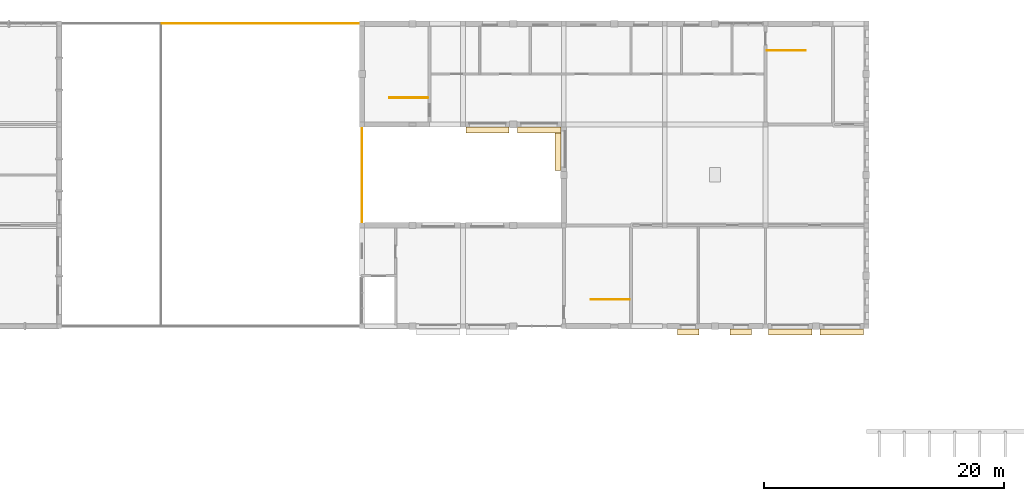
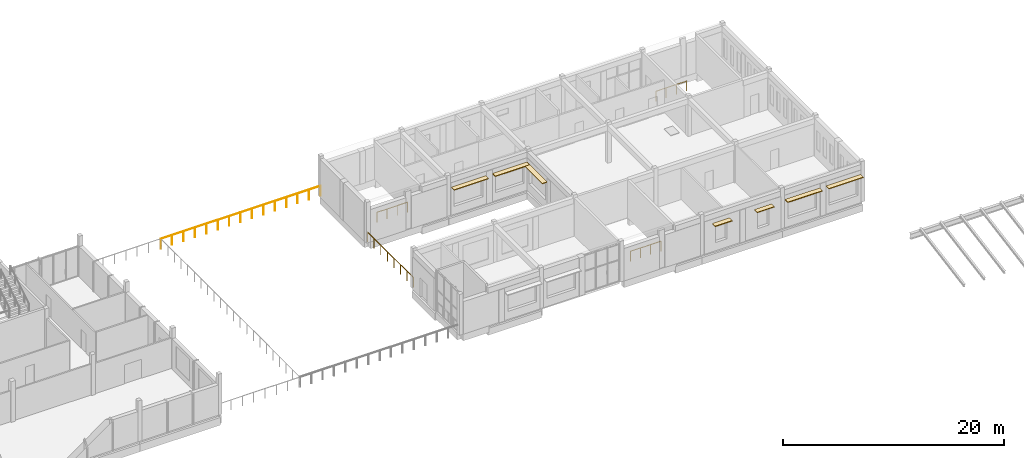
# One storey, part 30 of 30: 7 coverings, 5 railings.
"""IFC4 building model written with IfcOpenShell, lengths in metres."""

from ifc_helpers import new_model, si_unit, direction, frame, origin, origin_2d, place, context, subcontext, project, spatial, rectangle, circle, extrude, material, layer, layer_set, type_object, element, save


model = new_model("IFC4")

# Units and contexts
model_context = context("Model", 3, precision=1e-05, world=origin(), true_north=direction((0.0, 1.0)))
body_context = subcontext(model_context, "Body", "Model", "MODEL_VIEW")
ifc_project = project(units=[si_unit("LENGTHUNIT", "METRE"), si_unit("AREAUNIT", "SQUARE_METRE"), si_unit("VOLUMEUNIT", "CUBIC_METRE"), si_unit("PLANEANGLEUNIT", "RADIAN"), si_unit("MASSUNIT", "GRAM", prefix="KILO")], contexts=[model_context])

# Site, building, storey
site_placement = place(None, origin())
site = spatial("IfcSite", under=ifc_project, at=site_placement, CompositionType="ELEMENT")
building_placement = place(site_placement, origin())
building = spatial("IfcBuilding", under=site, at=building_placement, Name="Fescue Hill Polytechnic", CompositionType="ELEMENT")
storey_placement = place(building_placement, frame((0.0, 0.0, 22.5)))
storey = spatial("IfcBuildingStorey", under=building, at=storey_placement, Name="L05", CompositionType="ELEMENT", Elevation=22.5)

# Railings
ifc_material_1 = material(Name="Steel 350W (350 MPa)", Category="steel")
railing_type_1 = type_object("IfcRailingType", Name="Guard steel posts and rail 1100", PredefinedType="GUARDRAIL", material=ifc_material_1)
railing_1_placement = place(storey_placement, frame((75.60009765625, 125.949951171875, 0.0)))
element("IfcRailing", 1, at=railing_1_placement, inside=storey, type_object=railing_type_1, Name="GU-L05-V4b-1", PredefinedType="GUARDRAIL", context=body_context, shape_type="SweptSolid", body=[
    extrude(circle(Radius=0.02392578125, at=origin_2d()), frame((0.0, 0.0, 1.076171875), z_axis=(0.0, -1.0, 0.0), x_axis=(1.0, 0.0, 0.0)), (0.0, 0.0, 1.0), 8.300048828125),
    extrude(circle(Radius=0.02099609375, at=origin_2d()), origin(), (0.0, 0.0, 1.0), 1.052001953125),
    extrude(circle(Radius=0.02099609375, at=origin_2d()), frame((0.0, -1.185791015625, 0.0)), (0.0, 0.0, 1.0), 1.052001953125),
    extrude(circle(Radius=0.02099609375, at=origin_2d()), frame((0.0, -2.371337890625, 0.0)), (0.0, 0.0, 1.0), 1.052001953125),
    extrude(circle(Radius=0.02099609375, at=origin_2d()), frame((0.0, -3.55712890625, 0.0)), (0.0, 0.0, 1.0), 1.052001953125),
    extrude(circle(Radius=0.02099609375, at=origin_2d()), frame((0.0, -4.742919921875, 0.0)), (0.0, 0.0, 1.0), 1.052001953125),
    extrude(circle(Radius=0.02099609375, at=origin_2d()), frame((0.0, -5.9287109375, 0.0)), (0.0, 0.0, 1.0), 1.052001953125),
    extrude(circle(Radius=0.02099609375, at=origin_2d()), frame((0.0, -7.1142578125, 0.0)), (0.0, 0.0, 1.0), 1.052001953125),
    extrude(circle(Radius=0.02099609375, at=origin_2d()), frame((0.0, -8.300048828125, 0.0)), (0.0, 0.0, 1.0), 1.052001953125),
])
railing_2_placement = place(storey_placement, frame((58.85009765625, 134.39990234375, 0.0)))
element("IfcRailing", 2, at=railing_2_placement, inside=storey, type_object=railing_type_1, Name="GU-L05-V4b-3", PredefinedType="GUARDRAIL", context=body_context, shape_type="SweptSolid", body=[
    extrude(circle(Radius=0.02392578125, at=origin_2d()), frame((0.0, 0.0, 1.076171875), z_axis=(1.0, 0.0, 0.0), x_axis=(0.0, 1.0, 0.0)), (0.0, 0.0, 1.0), 16.699951171875),
    extrude(circle(Radius=0.02099609375, at=origin_2d()), origin(), (0.0, 0.0, 1.0), 1.052001953125),
    extrude(circle(Radius=0.02099609375, at=origin_2d()), frame((1.19287109375, 0.0, 0.0)), (0.0, 0.0, 1.0), 1.052001953125),
    extrude(circle(Radius=0.02099609375, at=origin_2d()), frame((2.3857421875, 0.0, 0.0)), (0.0, 0.0, 1.0), 1.052001953125),
    extrude(circle(Radius=0.02099609375, at=origin_2d()), frame((3.57861328125, 0.0, 0.0)), (0.0, 0.0, 1.0), 1.052001953125),
    extrude(circle(Radius=0.02099609375, at=origin_2d()), frame((4.771484375, 0.0, 0.0)), (0.0, 0.0, 1.0), 1.052001953125),
    extrude(circle(Radius=0.02099609375, at=origin_2d()), frame((5.96435546875, 0.0, 0.0)), (0.0, 0.0, 1.0), 1.052001953125),
    extrude(circle(Radius=0.02099609375, at=origin_2d()), frame((7.1572265625, 0.0, 0.0)), (0.0, 0.0, 1.0), 1.052001953125),
    extrude(circle(Radius=0.02099609375, at=origin_2d()), frame((8.35009765625, 0.0, 0.0)), (0.0, 0.0, 1.0), 1.052001953125),
    extrude(circle(Radius=0.02099609375, at=origin_2d()), frame((9.542724609375, 0.0, 0.0)), (0.0, 0.0, 1.0), 1.052001953125),
    extrude(circle(Radius=0.02099609375, at=origin_2d()), frame((10.735595703125, 0.0, 0.0)), (0.0, 0.0, 1.0), 1.052001953125),
    extrude(circle(Radius=0.02099609375, at=origin_2d()), frame((11.928466796875, 0.0, 0.0)), (0.0, 0.0, 1.0), 1.052001953125),
    extrude(circle(Radius=0.02099609375, at=origin_2d()), frame((13.121337890625, 0.0, 0.0)), (0.0, 0.0, 1.0), 1.052001953125),
    extrude(circle(Radius=0.02099609375, at=origin_2d()), frame((14.314208984375, 0.0, 0.0)), (0.0, 0.0, 1.0), 1.052001953125),
    extrude(circle(Radius=0.02099609375, at=origin_2d()), frame((15.507080078125, 0.0, 0.0)), (0.0, 0.0, 1.0), 1.052001953125),
    extrude(circle(Radius=0.02099609375, at=origin_2d()), frame((16.699951171875, 0.0, 0.0)), (0.0, 0.0, 1.0), 1.052001953125),
])

# Coverings
ifc_material_2 = material(Name="Precast concrete C40/50", Category="concrete")
ifc_layer = layer(ifc_material_2, 0.080078125)
ifc_layer_set = layer_set([ifc_layer], Name="Precast concrete C40/50")
covering_type = type_object("IfcCoveringType", Name="Shade blade precast 500x80", PredefinedType="CLADDING", material=ifc_layer_set)
for number, where, z_axis, x_axis, name in (
    (3, (86.050048828125, 125.52490234375, 3.050048828125), (0.0, 0.0, 1.0), (1.0, 0.0, 0.0), "SB-L05-V4b-1"),
    (4, (90.35009765625, 125.52490234375, 3.050048828125), (0.0, 0.0, 1.0), (1.0, 0.0, 0.0), "SB-L05-V4b-2"),
    (5, (91.925048828125, 123.949951171875, 3.050048828125), (0.0, 0.0, 1.0), (0.0, -1.0, 0.0), "SB-L05-V4b-3"),
):
    element("IfcCovering", number, at=place(storey_placement, frame(where, z_axis=z_axis, x_axis=x_axis)), inside=storey, type_object=covering_type, Name=name, PredefinedType="CLADDING", context=body_context, shape_type="SweptSolid", body=[
        extrude(rectangle(XDim=3.60009765625, YDim=0.5, at=origin_2d()), origin(), (0.0, 0.0, 1.0), 0.080078125),
    ])
for number, where, z_axis, x_axis, name in (
    (6, (102.75, 108.72509765625, 3.050048828125), (0.0, 0.0, 1.0), (1.0, 0.0, 0.0), "SB-L05-V4b-6"),
    (7, (107.14990234375, 108.72509765625, 3.050048828125), (0.0, 0.0, 1.0), (1.0, 0.0, 0.0), "SB-L05-V4b-7"),
):
    element("IfcCovering", number, at=place(storey_placement, frame(where, z_axis=z_axis, x_axis=x_axis)), inside=storey, type_object=covering_type, Name=name, PredefinedType="CLADDING", context=body_context, shape_type="SweptSolid", body=[
        extrude(rectangle(XDim=1.800048828125, YDim=0.5, at=origin_2d()), origin(), (0.0, 0.0, 1.0), 0.080078125),
    ])
for number, where, z_axis, x_axis, name in (
    (8, (111.25, 108.72509765625, 3.050048828125), (0.0, 0.0, 1.0), (1.0, 0.0, 0.0), "SB-L05-V4b-8"),
    (9, (115.550048828125, 108.72509765625, 3.050048828125), (0.0, 0.0, 1.0), (1.0, 0.0, 0.0), "SB-L05-V4b-9"),
):
    element("IfcCovering", number, at=place(storey_placement, frame(where, z_axis=z_axis, x_axis=x_axis)), inside=storey, type_object=covering_type, Name=name, PredefinedType="CLADDING", context=body_context, shape_type="SweptSolid", body=[
        extrude(rectangle(XDim=3.60009765625, YDim=0.5, at=origin_2d()), origin(), (0.0, 0.0, 1.0), 0.080078125),
    ])

# Railings
railing_type_2 = type_object("IfcRailingType", Name="Stair guard steel 1100", PredefinedType="GUARDRAIL", material=ifc_material_1)
railing_3_placement = place(storey_placement, frame((109.324951171875, 132.14990234375, 0.0)))
element("IfcRailing", 10, at=railing_3_placement, inside=storey, type_object=railing_type_2, Name="L05 ST-V4b-2 well guard 1", PredefinedType="GUARDRAIL", context=body_context, shape_type="SweptSolid", body=[
    extrude(circle(Radius=0.02392578125, at=origin_2d()), frame((0.0, 0.0, 1.076171875), z_axis=(1.0, 0.0, 0.0), x_axis=(0.0, 1.0, 0.0)), (0.0, 0.0, 1.0), 3.199951171875),
    extrude(circle(Radius=0.02099609375, at=origin_2d()), origin(), (0.0, 0.0, 1.0), 1.052001953125),
    extrude(circle(Radius=0.02099609375, at=origin_2d()), frame((1.066650390625, 0.0, 0.0)), (0.0, 0.0, 1.0), 1.052001953125),
    extrude(circle(Radius=0.02099609375, at=origin_2d()), frame((2.13330078125, 0.0, 0.0)), (0.0, 0.0, 1.0), 1.052001953125),
    extrude(circle(Radius=0.02099609375, at=origin_2d()), frame((3.199951171875, 0.0, 0.0)), (0.0, 0.0, 1.0), 1.052001953125),
])
for number, where, name in (
    (11, (97.875, 111.425048828125, 0.0), "L05 ST-V4b-3 well guard 1"),
    (12, (81.074951171875, 128.22509765625, 0.0), "L05 ST-V4b-4 well guard 1"),
):
    element("IfcRailing", number, at=place(storey_placement, frame(where)), inside=storey, type_object=railing_type_2, Name=name, PredefinedType="GUARDRAIL", context=body_context, shape_type="SweptSolid", body=[
        extrude(circle(Radius=0.02392578125, at=origin_2d()), frame((0.0, 0.0, 1.076171875), z_axis=(-1.0, 0.0, 0.0), x_axis=(0.0, -1.0, 0.0)), (0.0, 0.0, 1.0), 3.199951171875),
        extrude(circle(Radius=0.02099609375, at=origin_2d()), origin(), (0.0, 0.0, 1.0), 1.052001953125),
        extrude(circle(Radius=0.02099609375, at=origin_2d()), frame((-1.066650390625, 0.0, 0.0)), (0.0, 0.0, 1.0), 1.052001953125),
        extrude(circle(Radius=0.02099609375, at=origin_2d()), frame((-2.13330078125, 0.0, 0.0)), (0.0, 0.0, 1.0), 1.052001953125),
        extrude(circle(Radius=0.02099609375, at=origin_2d()), frame((-3.199951171875, 0.0, 0.0)), (0.0, 0.0, 1.0), 1.052001953125),
    ])

save(model, "model.ifc")
